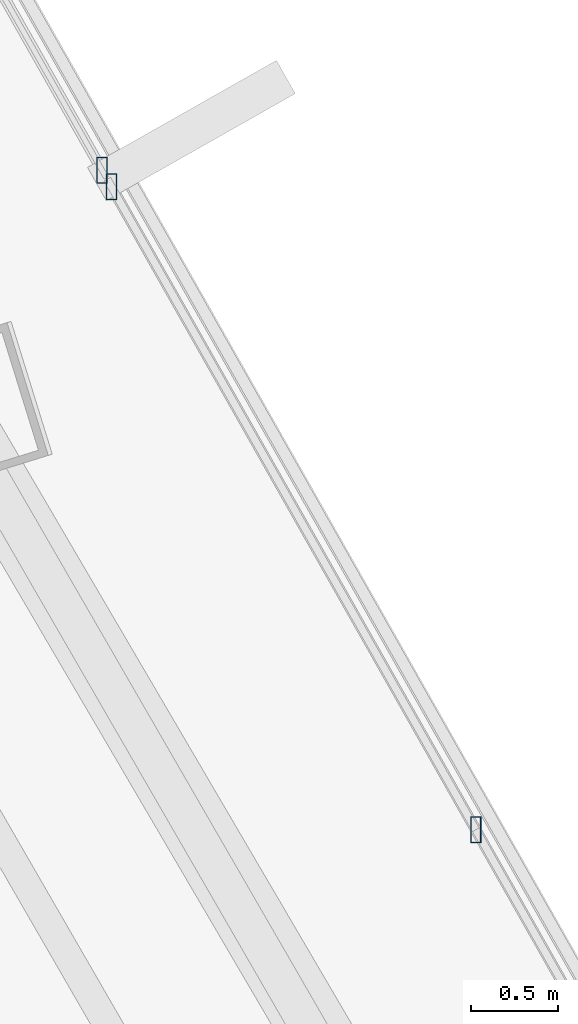
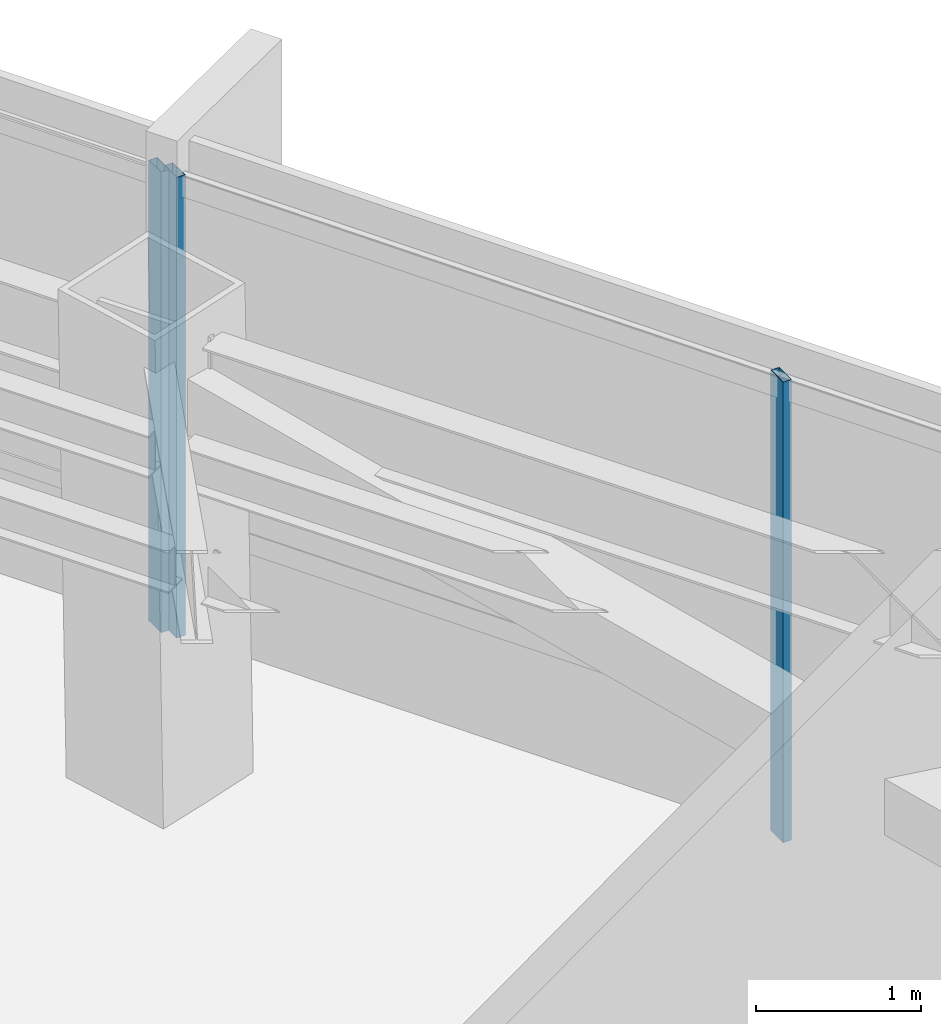
# One storey, part 28 of 40: 3 members, 2 elements without a shape of their own.
"""IFC4 building model written with IfcOpenShell, lengths in metres."""

import ifcopenshell
import ifcopenshell.guid

model = None  # the IFC model being written
_history = None  # IfcOwnerHistory: only IFC2X3 demands one
_inside = {}  # id of a spatial element -> (the spatial element, [elements in it])
_under = {}  # id of a project, library or spatial element -> (it, [spatial elements below it])
_declared = {}  # id of a project -> (the project, [libraries it declares])
_typed = {}  # id of a type object -> (the type object, [elements of that type])
_made_of = {}  # id of a material, layer set ... -> (it, [elements and type objects made of it])


def new_model(schema):
    """Start an empty IFC model of exactly this schema.

    Asked for "IFC4X3", IfcOpenShell would pick the latest addendum, in which some entities
    have other attributes; the version numbers below select the first issue.
    IFC2X3 requires an IfcOwnerHistory on every rooted entity: one is made here for all.
    """
    global model, _history
    if schema == "IFC4X3":
        model = ifcopenshell.file(schema_version=(4, 3, 0, 0))
    else:
        model = ifcopenshell.file(schema=schema)
    _inside.clear()
    _under.clear()
    _declared.clear()
    _typed.clear()
    _made_of.clear()
    _history = None
    if model.schema == "IFC2X3":
        org = make("IfcOrganization", Name="unknown")
        user = make(
            "IfcPersonAndOrganization",
            ThePerson=make("IfcPerson", FamilyName="unknown"),
            TheOrganization=org,
        )
        app = make(
            "IfcApplication",
            ApplicationDeveloper=org,
            Version="unknown",
            ApplicationFullName="unknown",
            ApplicationIdentifier="unknown",
        )
        _history = make(
            "IfcOwnerHistory",
            OwningUser=user,
            OwningApplication=app,
            ChangeAction="ADDED",
            CreationDate=0,
        )
    return model


def make(cls, **values):
    """One entity of the class cls with the attributes given. An attribute that is None is left unset."""
    return model.create_entity(
        cls, **{name: value for name, value in values.items() if value is not None}
    )


def rooted(cls, **values):
    """An entity with a GlobalId (a new one), such as an element, a storey or a relation."""
    return make(cls, GlobalId=ifcopenshell.guid.new(), OwnerHistory=_history, **values)


def si_unit(unit_type, name, prefix=None):
    """IfcSIUnit, for example si_unit("LENGTHUNIT", "METRE", prefix="MILLI")."""
    return make("IfcSIUnit", UnitType=unit_type, Prefix=prefix, Name=name)


def assignment(units):
    """IfcUnitAssignment: the units of a project."""
    return None if units is None else make("IfcUnitAssignment", Units=units)


def point(xyz):
    """IfcCartesianPoint."""
    return None if xyz is None else make("IfcCartesianPoint", Coordinates=xyz)


def direction(xyz):
    """IfcDirection."""
    return None if xyz is None else make("IfcDirection", DirectionRatios=xyz)


def frame(location, z_axis=None, x_axis=None):
    """IfcAxis2Placement3D, a coordinate frame: its origin and axes. An axis left out is left unset."""
    return make(
        "IfcAxis2Placement3D",
        Location=point(location),
        Axis=direction(z_axis),
        RefDirection=direction(x_axis),
    )


def frame_2d(location, x_axis=None):
    """IfcAxis2Placement2D, a coordinate frame in the plane: its origin and x axis."""
    return make(
        "IfcAxis2Placement2D", Location=point(location), RefDirection=direction(x_axis)
    )


def origin():
    """The frame at (0, 0, 0) with its axes left unset."""
    return frame((0.0, 0.0, 0.0))


def origin_2d():
    """The frame at (0, 0) in the plane with its x axis left unset."""
    return frame_2d((0.0, 0.0))


def place(relative_to, where):
    """IfcLocalPlacement: puts the frame where relative to a parent placement (None: the world)."""
    return make(
        "IfcLocalPlacement", PlacementRelTo=relative_to, RelativePlacement=where
    )


def context(
    kind, dimensions, precision=None, world=None, true_north=None, identifier=None
):
    """IfcGeometricRepresentationContext, for example the 3D "Model" context."""
    return make(
        "IfcGeometricRepresentationContext",
        ContextIdentifier=identifier,
        ContextType=kind,
        CoordinateSpaceDimension=dimensions,
        Precision=precision,
        WorldCoordinateSystem=world,
        TrueNorth=true_north,
    )


def subcontext(parent, identifier, kind, view, scale=None):
    """IfcGeometricRepresentationSubContext, for example "Body" below "Model"."""
    return make(
        "IfcGeometricRepresentationSubContext",
        ContextIdentifier=identifier,
        ContextType=kind,
        ParentContext=parent,
        TargetScale=scale,
        TargetView=view,
    )


def project(units=None, contexts=None):
    """IfcProject with its units and contexts."""
    return rooted(
        "IfcProject",
        Name="project",
        RepresentationContexts=contexts,
        UnitsInContext=assignment(units),
    )


def spatial(cls, under=None, at=None, **own):
    """A site, building, storey or space (cls), placed at a placement, below another one or the project."""
    s = rooted(cls, ObjectPlacement=at, **own)
    if under is not None:
        _under.setdefault(under.id(), (under, []))[1].append(s)
    return s


def profile(cls, at=None, kind="AREA", **sizes):
    """A parametric profile (cls). Its sizes go by their IFC names, for example OverallWidth=200.0."""
    return make(cls, ProfileType=kind, Position=at, **sizes)


def hollow_rectangle(**sizes):
    """IfcRectangleHollowProfileDef."""
    return profile("IfcRectangleHollowProfileDef", **sizes)


def extrude(swept, where, along, depth):
    """IfcExtrudedAreaSolid: the profile swept, set in the frame where, extruded along a direction by depth."""
    return make(
        "IfcExtrudedAreaSolid",
        SweptArea=swept,
        Position=where,
        ExtrudedDirection=direction(along),
        Depth=depth,
    )


def shape(context_of_items, identifier, shape_type, items):
    """IfcShapeRepresentation: the items that make up one representation, for example the "Body"."""
    return make(
        "IfcShapeRepresentation",
        ContextOfItems=context_of_items,
        RepresentationIdentifier=identifier,
        RepresentationType=shape_type,
        Items=items,
    )


def source(mapping_origin, context_of_items, identifier, shape_type, items):
    """IfcRepresentationMap: a shape defined once, which mapped items show again and again."""
    return make(
        "IfcRepresentationMap",
        MappingOrigin=mapping_origin,
        MappedRepresentation=shape(context_of_items, identifier, shape_type, items),
    )


def transform(
    local_origin,
    x_axis=None,
    y_axis=None,
    z_axis=None,
    scale=None,
    scale2=None,
    scale3=None,
    uniform=True,
):
    """IfcCartesianTransformationOperator3D, or its non-uniform kind. x_axis, y_axis, z_axis: its Axis1, 2, 3."""
    if uniform:
        return make(
            "IfcCartesianTransformationOperator3D",
            Axis1=direction(x_axis),
            Axis2=direction(y_axis),
            LocalOrigin=point(local_origin),
            Scale=scale,
            Axis3=direction(z_axis),
        )
    return make(
        "IfcCartesianTransformationOperator3DnonUniform",
        Axis1=direction(x_axis),
        Axis2=direction(y_axis),
        LocalOrigin=point(local_origin),
        Scale=scale,
        Axis3=direction(z_axis),
        Scale2=scale2,
        Scale3=scale3,
    )


def mapped(mapping_source, mapping_target):
    """IfcMappedItem: shows the shape of a source again, moved by a transform."""
    return make(
        "IfcMappedItem", MappingSource=mapping_source, MappingTarget=mapping_target
    )


def material(Name=None, Category=None):
    """IfcMaterial."""
    return make("IfcMaterial", Name=Name, Category=Category)


def material_profile(
    of_material, cross_section, Name=None, Category=None, Priority=None
):
    """IfcMaterialProfile: a cross section and its material."""
    return make(
        "IfcMaterialProfile",
        Name=Name,
        Material=of_material,
        Profile=cross_section,
        Priority=Priority,
        Category=Category,
    )


def profile_set(profiles, Name=None, composite=None):
    """IfcMaterialProfileSet."""
    return make(
        "IfcMaterialProfileSet",
        Name=Name,
        MaterialProfiles=profiles,
        CompositeProfile=composite,
    )


def made_of(thing, what):
    """Note that an element or type object is made of a material, layer set ...; save() writes the relation."""
    if what is not None:
        _made_of.setdefault(what.id(), (what, []))[1].append(thing)
    return thing


def type_object(cls, material=None, **own):
    """A type object (cls), such as IfcWallType, which elements share."""
    return made_of(rooted(cls, **own), material)


def type_shapes(of_type, sources):
    """Give a type object the sources (RepresentationMaps) that its elements show as mapped items."""
    of_type.RepresentationMaps = sources


def element(
    cls,
    number,
    at=None,
    inside=None,
    cuts=None,
    type_object=None,
    material=None,
    context=None,
    identifier="Body",
    shape_type=None,
    held_by="IfcProductDefinitionShape",
    body=None,
    shapes=None,
    **own,
):
    """One element of the class cls, such as IfcWall. Its Tag is "e" and its number.

    at: its placement. inside: the storey or other place that contains it. cuts: it is an
    opening in that element (IfcRelVoidsElement). A single representation is given by context,
    identifier, shape_type and body (its items); several are given by shapes. held_by: the class
    of the entity that holds the representations. save() writes the other relations.
    """
    e = rooted(cls, Tag="e%d" % number, ObjectPlacement=at, **own)
    if body is not None:
        shapes = [shape(context, identifier, shape_type, body)]
    if shapes is not None:
        e.Representation = make(held_by, Representations=shapes)
    if inside is not None:
        _inside.setdefault(inside.id(), (inside, []))[1].append(e)
    if cuts is not None:
        rooted(
            "IfcRelVoidsElement", RelatingBuildingElement=cuts, RelatedOpeningElement=e
        )
    if type_object is not None:
        _typed.setdefault(type_object.id(), (type_object, []))[1].append(e)
    return made_of(e, material)


def aggregate(whole, parts):
    """IfcRelAggregates: a whole, such as a stair, and the parts it consists of."""
    return rooted("IfcRelAggregates", RelatingObject=whole, RelatedObjects=parts)


def save(model, path):
    """Write the relations noted so far, then the file.

    IfcRelAggregates (storeys below a building ...), IfcRelContainedInSpatialStructure (elements
    in a storey), IfcRelDefinesByType, IfcRelAssociatesMaterial and IfcRelDeclares: one each for
    every whole, place, type object, material and project.
    """
    for whole, parts in _under.values():
        aggregate(whole, parts)
    for where, things in _inside.values():
        rooted(
            "IfcRelContainedInSpatialStructure",
            RelatedElements=things,
            RelatingStructure=where,
        )
    for kind, things in _typed.values():
        rooted("IfcRelDefinesByType", RelatedObjects=things, RelatingType=kind)
    for what, things in _made_of.values():
        rooted("IfcRelAssociatesMaterial", RelatedObjects=things, RelatingMaterial=what)
    for by, libraries in _declared.values():
        rooted("IfcRelDeclares", RelatingContext=by, RelatedDefinitions=libraries)
    model.write(path)


model = new_model("IFC4")

# Units and contexts
model_context = context("Model", 3, precision=1e-05, world=origin(), true_north=direction((0.0, 1.0)))
body_context = subcontext(model_context, "Body", "Model", "MODEL_VIEW")
ifc_project = project(units=[si_unit("LENGTHUNIT", "METRE"), si_unit("AREAUNIT", "SQUARE_METRE"), si_unit("VOLUMEUNIT", "CUBIC_METRE"), si_unit("PLANEANGLEUNIT", "RADIAN"), si_unit("MASSUNIT", "GRAM", prefix="KILO")], contexts=[model_context])

# Site, building, storey
site_placement = place(None, origin())
site = spatial("IfcSite", under=ifc_project, at=site_placement, CompositionType="ELEMENT")
building_placement = place(site_placement, origin())
building = spatial("IfcBuilding", under=site, at=building_placement, Name="Caelisora Broadcast Tower", CompositionType="ELEMENT")
storey_placement = place(building_placement, frame((0.0, 0.0, 213.25)))
storey = spatial("IfcBuildingStorey", under=building, at=storey_placement, Name="L56", CompositionType="ELEMENT", Elevation=213.25)

# Curtain wall, member
ifc_material_1 = material(Name="Unitised Aluminium and Low-E Glass Curtain Wall", Category="glass")
curtain_wall_type_1 = type_object("IfcCurtainWallType", Name="CW-Z4", PredefinedType="NOTDEFINED", material=ifc_material_1)
curtain_wall_1_placement = place(storey_placement, origin())
curtain_wall_1 = element("IfcCurtainWall", 1, at=curtain_wall_1_placement, inside=storey, type_object=curtain_wall_type_1, Name="L56 curtain wall CW-Z4", PredefinedType="NOTDEFINED")
ifc_material_2 = material(Name="Aluminium 6063-T6 Anodised Terracotta Bronze", Category="aluminium")
ifc_material_profile = material_profile(ifc_material_2, hollow_rectangle(XDim=0.06005859375, YDim=0.14990234375, WallThickness=0.00341796875, at=origin_2d()), Name="Aluminium 6063-T6 Anodised Terracotta Bronze")
ifc_profile_set = profile_set([ifc_material_profile], Name="Aluminium 6063-T6 Anodised Terracotta Bronze")
member_type = type_object("IfcMemberType", Name="CWM-03", PredefinedType="MULLION", material=ifc_profile_set)
shared_shape = source(origin(), body_context, "Body", "SweptSolid", [
    extrude(hollow_rectangle(XDim=0.06005859375, YDim=0.14990234375, WallThickness=0.00341796875, at=origin_2d()), origin(), (0.0, 0.0, 1.0), 3.39990234375),
])
type_shapes(member_type, [shared_shape])
member_1_placement = place(storey_placement, frame((49.374755859375, 38.078369140625, 0.0), z_axis=(0.0, 0.0, 1.0), x_axis=(1.0, 0.0, 0.0)))
member_1 = element("IfcMember", 2, at=member_1_placement, type_object=member_type, Name="L56-CW-B01 mullion #3", PredefinedType="MULLION", context=body_context, shape_type="MappedRepresentation", body=[
    mapped(shared_shape, transform((0.0, 0.0, 0.0), scale=1.0)),
])
aggregate(curtain_wall_1, [member_1])

# Curtain wall, members
ifc_material_3 = material(Name="Unitised Aluminium Insulated Shadow-Box Spandrel Curtain Wall", Category="aluminium")
curtain_wall_type_2 = type_object("IfcCurtainWallType", Name="CW-SP2", PredefinedType="NOTDEFINED", material=ifc_material_3)
curtain_wall_2_placement = place(storey_placement, origin())
curtain_wall_2 = element("IfcCurtainWall", 3, at=curtain_wall_2_placement, inside=storey, type_object=curtain_wall_type_2, Name="L56 curtain wall CW-SP2", PredefinedType="NOTDEFINED")
member_2_placement = place(storey_placement, frame((49.428955078125, 37.982666015625, 0.0), z_axis=(0.0, 0.0, 1.0), x_axis=(1.0, 0.0, 0.0)))
member_2 = element("IfcMember", 4, at=member_2_placement, type_object=member_type, Name="L56-CW-B02 mullion #0", PredefinedType="MULLION", context=body_context, shape_type="MappedRepresentation", body=[
    mapped(shared_shape, transform((0.0, 0.0, 0.0), scale=1.0)),
])
member_3_placement = place(storey_placement, frame((51.52587890625, 34.281494140625, 0.0), z_axis=(0.0, 0.0, 1.0), x_axis=(1.0, 0.0, 0.0)))
member_3 = element("IfcMember", 5, at=member_3_placement, type_object=member_type, Name="L56-CW-B02 mullion #1", PredefinedType="MULLION", context=body_context, shape_type="MappedRepresentation", body=[
    mapped(shared_shape, transform((0.0, 0.0, 0.0), scale=1.0)),
])
aggregate(curtain_wall_2, [member_2, member_3])

save(model, "model.ifc")
